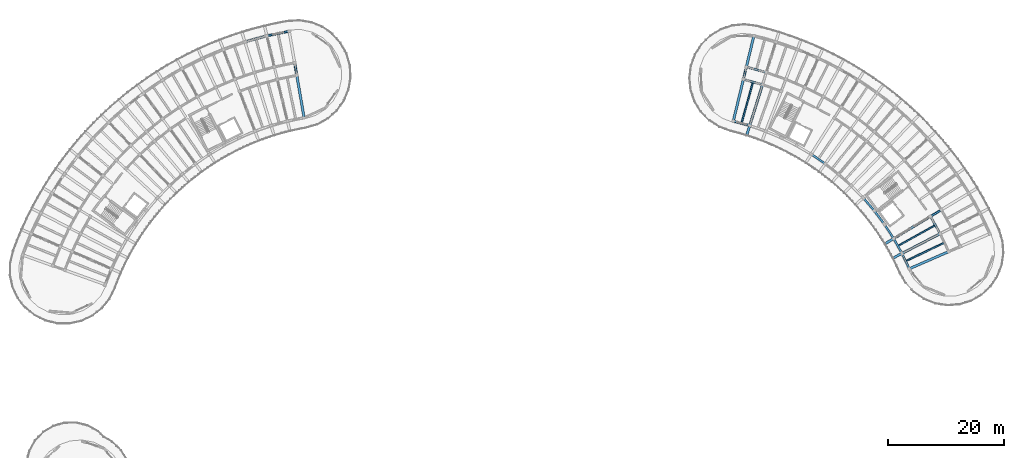
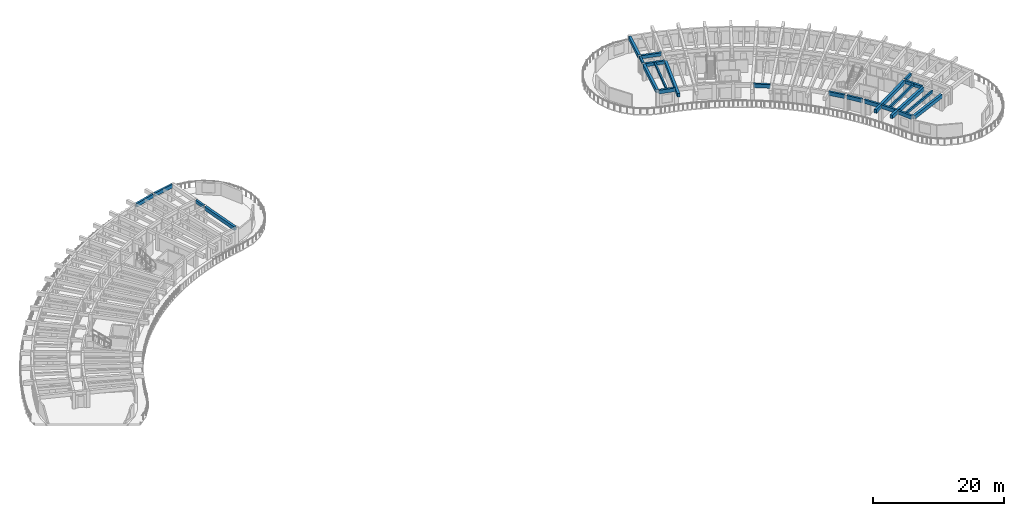
# One storey, part 8 of 41: 25 beams.
"""IFC4 building model written with IfcOpenShell, lengths in metres."""

from ifc_helpers import new_model, si_unit, direction, frame, origin, origin_2d, place, context, subcontext, project, spatial, rectangle, extrude, material, material_profile, profile_set, type_object, element, save


model = new_model("IFC4")

# Units and contexts
model_context = context("Model", 3, precision=1e-05, world=origin(), true_north=direction((0.0, 1.0)))
body_context = subcontext(model_context, "Body", "Model", "MODEL_VIEW")
ifc_project = project(units=[si_unit("LENGTHUNIT", "METRE"), si_unit("AREAUNIT", "SQUARE_METRE"), si_unit("VOLUMEUNIT", "CUBIC_METRE"), si_unit("PLANEANGLEUNIT", "RADIAN"), si_unit("MASSUNIT", "GRAM", prefix="KILO")], contexts=[model_context])

# Site, building, storey
site_placement = place(None, origin())
site = spatial("IfcSite", under=ifc_project, at=site_placement, CompositionType="ELEMENT")
building_placement = place(site_placement, origin())
building = spatial("IfcBuilding", under=site, at=building_placement, Name="Tanwirah Colonnade Gardens", CompositionType="ELEMENT")
storey_placement = place(building_placement, frame((0.0, 0.0, 35.719970703125)))
storey = spatial("IfcBuildingStorey", under=building, at=storey_placement, Name="L10", CompositionType="ELEMENT", Elevation=35.719970703125)

# Beams
ifc_material_1 = material(Name="Precast concrete C40/50", Category="concrete")
ifc_material_profile_1 = material_profile(ifc_material_1, rectangle(XDim=0.320068359375, YDim=0.52001953125, at=origin_2d()), Name="PC-BM 320x520")
ifc_profile_set_1 = profile_set([ifc_material_profile_1], Name="Precast concrete C40/50")
beam_type_1 = type_object("IfcBeamType", Name="BM-PC320", PredefinedType="BEAM", material=ifc_profile_set_1)
beam_1_placement = place(storey_placement, frame((165.520751953125, 87.068359375, 2.85498046875), z_axis=(0.856174920318, 0.516686080534, 0.0), x_axis=(-0.516686080534, 0.856174920318, 0.0)))
element("IfcBeam", 1, at=beam_1_placement, inside=storey, type_object=beam_type_1, Name="Block B L10 Corridor Tie Beam 4", PredefinedType="BEAM", context=body_context, shape_type="SweptSolid", body=[
    extrude(rectangle(XDim=0.320068359375, YDim=0.52001953125, at=origin_2d()), origin(), (0.0, 0.0, 1.0), 1.89990234375),
])
beam_2_placement = place(storey_placement, frame((133.188232421875, 110.75146484375, 2.85498046875), z_axis=(0.234364199778, 0.972148868159, 0.0), x_axis=(-0.972148868159, 0.234364199778, 0.0)))
element("IfcBeam", 2, at=beam_2_placement, inside=storey, type_object=beam_type_1, Name="Block B L10 Corridor Tie Beam 16", PredefinedType="BEAM", context=body_context, shape_type="SweptSolid", body=[
    extrude(rectangle(XDim=0.320068359375, YDim=0.52001953125, at=origin_2d()), origin(), (0.0, 0.0, 1.0), 1.900146484375),
])
ifc_material_profile_2 = material_profile(ifc_material_1, rectangle(XDim=0.35009765625, YDim=0.550048828125, at=origin_2d()), Name="PC-BM 350x550")
ifc_profile_set_2 = profile_set([ifc_material_profile_2], Name="Precast concrete C40/50")
beam_type_2 = type_object("IfcBeamType", Name="BM-PC350A", PredefinedType="BEAM", material=ifc_profile_set_2)
beam_3_placement = place(storey_placement, frame((56.1689453125, 111.444580078125, 2.840087890625), z_axis=(-0.169855285462, 0.985469016256, 0.0), x_axis=(-0.985469016256, -0.169855285462, 0.0)))
element("IfcBeam", 3, at=beam_3_placement, inside=storey, type_object=beam_type_2, Name="Block A L10 Corridor Tie Beam 1", PredefinedType="BEAM", context=body_context, shape_type="SweptSolid", body=[
    extrude(rectangle(XDim=0.35009765625, YDim=0.550048828125, at=origin_2d()), origin(), (0.0, 0.0, 1.0), 1.900146484375),
])
ifc_material_profile_3 = material_profile(ifc_material_1, rectangle(XDim=0.35009765625, YDim=0.60009765625, at=origin_2d()), Name="PC-BM 350x600")
ifc_profile_set_3 = profile_set([ifc_material_profile_3], Name="Precast concrete C40/50")
beam_type_3 = type_object("IfcBeamType", Name="BM-PC350B", PredefinedType="BEAM", material=ifc_profile_set_3)
for number, where, z_axis, x_axis, name in (
    (4, (166.98779296875, 84.138671875, 2.81494140625), (-0.488200372352, 0.872731571811, 0.0), (-0.872731571811, -0.488200372352, 0.0), "Block B L10 Circumferential Beam 3-R1"),
    (5, (136.302978515625, 109.7353515625, 2.81494140625), (-0.963889412906, 0.266302834548, 0.0), (-0.266302834548, -0.963889412906, 0.0), "Block B L10 Circumferential Beam 15-R1"),
):
    element("IfcBeam", number, at=place(storey_placement, frame(where, z_axis=z_axis, x_axis=x_axis)), inside=storey, type_object=beam_type_3, Name=name, PredefinedType="BEAM", context=body_context, shape_type="SweptSolid", body=[
        extrude(rectangle(XDim=0.35009765625, YDim=0.60009765625, at=origin_2d()), origin(), (0.0, 0.0, 1.0), 3.117919921875),
    ])
beam_4_placement = place(storey_placement, frame((136.95849609375, 111.83544921875, 2.81494140625), z_axis=(-0.9638953302, 0.266281415833, 0.0), x_axis=(-0.266281415833, -0.9638953302, 0.0)))
element("IfcBeam", 6, at=beam_4_placement, inside=storey, type_object=beam_type_3, Name="Block B L10 Circumferential Beam 15-R2", PredefinedType="BEAM", context=body_context, shape_type="SweptSolid", body=[
    extrude(rectangle(XDim=0.35009765625, YDim=0.60009765625, at=origin_2d()), origin(), (0.0, 0.0, 1.0), 3.26318359375),
])
ifc_material_2 = material(Name="Precast concrete C45/55", Category="concrete")
ifc_material_profile_4 = material_profile(ifc_material_2, rectangle(XDim=0.419921875, YDim=0.679931640625, at=origin_2d()), Name="PC-BM 420x680")
ifc_profile_set_4 = profile_set([ifc_material_profile_4], Name="Precast concrete C45/55")
beam_type_4 = type_object("IfcBeamType", Name="BM-PC420", PredefinedType="BEAM", material=ifc_profile_set_4)
beam_5_placement = place(storey_placement, frame((56.219970703125, 111.14892578125, 2.775146484375), z_axis=(0.16983322007, -0.985472819189, 0.0), x_axis=(0.985472819189, 0.16983322007, 0.0)))
element("IfcBeam", 7, at=beam_5_placement, inside=storey, type_object=beam_type_4, Name="Block A L10 Inner Radial Precast Girder 1", PredefinedType="BEAM", context=body_context, shape_type="SweptSolid", body=[
    extrude(rectangle(XDim=0.419921875, YDim=0.679931640625, at=origin_2d()), origin(), (0.0, 0.0, 1.0), 7.099853515625),
])
beam_6_placement = place(storey_placement, frame((168.39208984375, 80.861328125, 2.775146484375), z_axis=(-0.916678201221, -0.399626169571, 0.0), x_axis=(0.399626169571, -0.916678201221, 0.0)))
element("IfcBeam", 8, at=beam_6_placement, inside=storey, type_object=beam_type_4, Name="Block B L10 Inner Radial Precast Girder 2", PredefinedType="BEAM", context=body_context, shape_type="SweptSolid", body=[
    extrude(rectangle(XDim=0.419921875, YDim=0.679931640625, at=origin_2d()), origin(), (0.0, 0.0, 1.0), 7.10009765625),
])
beam_7_placement = place(storey_placement, frame((166.927734375, 83.93896484375, 2.775146484375), z_axis=(-0.888345427876, -0.459175784175, 0.0), x_axis=(0.459175784175, -0.888345427876, 0.0)))
element("IfcBeam", 9, at=beam_7_placement, inside=storey, type_object=beam_type_4, Name="Block B L10 Inner Radial Precast Girder 3", PredefinedType="BEAM", context=body_context, shape_type="SweptSolid", body=[
    extrude(rectangle(XDim=0.419921875, YDim=0.679931640625, at=origin_2d()), origin(), (0.0, 0.0, 1.0), 8.949951171875),
])
for number, where, z_axis, x_axis, name in (
    (10, (165.263916015625, 86.913330078125, 2.775146484375), (-0.856168728297, -0.516696340887, 0.0), (0.516696340887, -0.856168728297, 0.0), "Block B L10 Inner Radial Precast Girder 4"),
    (11, (136.403076171875, 109.55224609375, 2.775146484375), (-0.29792861283, -0.9545881529, 0.0), (0.9545881529, -0.29792861283, 0.0), "Block B L10 Inner Radial Precast Girder 15"),
):
    element("IfcBeam", number, at=place(storey_placement, frame(where, z_axis=z_axis, x_axis=x_axis)), inside=storey, type_object=beam_type_4, Name=name, PredefinedType="BEAM", context=body_context, shape_type="SweptSolid", body=[
        extrude(rectangle(XDim=0.419921875, YDim=0.679931640625, at=origin_2d()), origin(), (0.0, 0.0, 1.0), 8.9501953125),
    ])
beam_8_placement = place(storey_placement, frame((133.117919921875, 110.459716796875, 2.775146484375), z_axis=(-0.23441195378, -0.972137354454, 0.0), x_axis=(0.972137354454, -0.23441195378, 0.0)))
element("IfcBeam", 12, at=beam_8_placement, inside=storey, type_object=beam_type_4, Name="Block B L10 Inner Radial Precast Girder 16", PredefinedType="BEAM", context=body_context, shape_type="SweptSolid", body=[
    extrude(rectangle(XDim=0.419921875, YDim=0.679931640625, at=origin_2d()), origin(), (0.0, 0.0, 1.0), 7.099853515625),
])
beam_9_placement = place(storey_placement, frame((133.703857421875, 112.89013671875, 2.775146484375), z_axis=(0.234374333708, 0.97214642503, 0.0), x_axis=(-0.97214642503, 0.234374333708, 0.0)))
element("IfcBeam", 13, at=beam_9_placement, inside=storey, type_object=beam_type_4, Name="Block B L10 Outer Radial Precast Girder 16", PredefinedType="BEAM", context=body_context, shape_type="SweptSolid", body=[
    extrude(rectangle(XDim=0.419921875, YDim=0.679931640625, at=origin_2d()), origin(), (0.0, 0.0, 1.0), 5.199951171875),
])
ifc_material_profile_5 = material_profile(ifc_material_1, rectangle(XDim=0.260009765625, YDim=0.4599609375, at=origin_2d()), Name="PC-JST 260x460")
ifc_profile_set_5 = profile_set([ifc_material_profile_5], Name="Precast concrete C40/50")
beam_type_5 = type_object("IfcBeamType", Name="JST-PC260", PredefinedType="JOIST", material=ifc_profile_set_5)
for number, where, z_axis, x_axis, name in (
    (14, (161.246826171875, 79.348876953125, 2.885009765625), (0.903005429363, 0.429629136048, 0.0), (-0.429629136048, 0.903005429363, 0.0), "Block B L10 Inner Precast Floor Joist 2"),
    (15, (159.897705078125, 81.958984375, 2.885009765625), (0.872726875563, 0.488208767506, 0.0), (-0.488208767506, 0.872726875563, 0.0), "Block B L10 Inner Precast Floor Joist 3"),
):
    element("IfcBeam", number, at=place(storey_placement, frame(where, z_axis=z_axis, x_axis=x_axis)), inside=storey, type_object=beam_type_5, Name=name, PredefinedType="JOIST", context=body_context, shape_type="SweptSolid", body=[
        extrude(rectangle(XDim=0.260009765625, YDim=0.4599609375, at=origin_2d()), origin(), (0.0, 0.0, 1.0), 7.16015625),
    ])
beam_10_placement = place(storey_placement, frame((132.869140625, 103.16064453125, 2.885009765625), z_axis=(0.266307034535, 0.963888252526, 0.0), x_axis=(-0.963888252526, 0.266307034535, 0.0)))
element("IfcBeam", 16, at=beam_10_placement, inside=storey, type_object=beam_type_5, Name="Block B L10 Inner Precast Floor Joist 15", PredefinedType="JOIST", context=body_context, shape_type="SweptSolid", body=[
    extrude(rectangle(XDim=0.260009765625, YDim=0.4599609375, at=origin_2d()), origin(), (0.0, 0.0, 1.0), 7.159912109375),
])
ifc_material_profile_6 = material_profile(ifc_material_1, rectangle(XDim=0.3349609375, YDim=0.695068359375, at=origin_2d()), Name="PC-SP 335x695")
ifc_profile_set_6 = profile_set([ifc_material_profile_6], Name="Precast concrete C40/50")
beam_type_6 = type_object("IfcBeamType", Name="SP-PC300", PredefinedType="SPANDREL", material=ifc_profile_set_6)
beam_11_placement = place(storey_placement, frame((161.681640625, 78.099365234375, 2.767578125), z_axis=(-0.42964173036, 0.902999437172, 0.0), x_axis=(-0.902999437172, -0.42964173036, 0.0)))
element("IfcBeam", 17, at=beam_11_placement, inside=storey, type_object=beam_type_6, Name="Block B L10 Circumferential Beam 2-R0", PredefinedType="SPANDREL", context=body_context, shape_type="SweptSolid", body=[
    extrude(rectangle(XDim=0.3349609375, YDim=0.695068359375, at=origin_2d()), origin(), (0.0, 0.0, 1.0), 2.63037109375),
])
beam_12_placement = place(storey_placement, frame((160.413818359375, 80.740966796875, 2.767578125), z_axis=(-0.488170837957, 0.872748092503, 0.0), x_axis=(-0.872748092503, -0.488170837957, 0.0)))
element("IfcBeam", 18, at=beam_12_placement, inside=storey, type_object=beam_type_6, Name="Block B L10 Circumferential Beam 3-R0", PredefinedType="SPANDREL", context=body_context, shape_type="SweptSolid", body=[
    extrude(rectangle(XDim=0.3349609375, YDim=0.695068359375, at=origin_2d()), origin(), (0.0, 0.0, 1.0), 2.630126953125),
])
for number, where, z_axis, x_axis, name in (
    (19, (158.974853515625, 83.29296875, 2.767578125), (-0.544570677829, 0.838714955661, 0.0), (-0.838714955661, -0.544570677829, 0.0), "Block B L10 Circumferential Beam 4-R0"),
    (20, (157.370849609375, 85.744873046875, 2.767578125), (-0.598662613551, 0.80100129534, 0.0), (-0.80100129534, -0.598662613551, 0.0), "Block B L10 Circumferential Beam 5-R0"),
):
    element("IfcBeam", number, at=place(storey_placement, frame(where, z_axis=z_axis, x_axis=x_axis)), inside=storey, type_object=beam_type_6, Name=name, PredefinedType="SPANDREL", context=body_context, shape_type="SweptSolid", body=[
        extrude(rectangle(XDim=0.3349609375, YDim=0.695068359375, at=origin_2d()), origin(), (0.0, 0.0, 1.0), 2.63037109375),
    ])
beam_13_placement = place(storey_placement, frame((155.60888671875, 88.0859375, 2.767578125), z_axis=(-0.650217875778, 0.759747796323, 0.0), x_axis=(-0.759747796323, -0.650217875778, 0.0)))
element("IfcBeam", 21, at=beam_13_placement, inside=storey, type_object=beam_type_6, Name="Block B L10 Circumferential Beam 6-R0", PredefinedType="SPANDREL", context=body_context, shape_type="SweptSolid", body=[
    extrude(rectangle(XDim=0.3349609375, YDim=0.695068359375, at=origin_2d()), origin(), (0.0, 0.0, 1.0), 2.630126953125),
])
beam_14_placement = place(storey_placement, frame((147.142578125, 96.143798828125, 2.767578125), z_axis=(-0.825800981874, 0.563961646158, 0.0), x_axis=(-0.563961646158, -0.825800981874, 0.0)))
element("IfcBeam", 22, at=beam_14_placement, inside=storey, type_object=beam_type_6, Name="Block B L10 Circumferential Beam 10-R0", PredefinedType="SPANDREL", context=body_context, shape_type="SweptSolid", body=[
    extrude(rectangle(XDim=0.3349609375, YDim=0.695068359375, at=origin_2d()), origin(), (0.0, 0.0, 1.0), 2.63037109375),
])
beam_15_placement = place(storey_placement, frame((134.098388671875, 102.67138671875, 2.767578125), z_axis=(-0.96388669146, 0.266312684688, 0.0), x_axis=(-0.266312684688, -0.96388669146, 0.0)))
element("IfcBeam", 23, at=beam_15_placement, inside=storey, type_object=beam_type_6, Name="Block B L10 Circumferential Beam 15-R0", PredefinedType="SPANDREL", context=body_context, shape_type="SweptSolid", body=[
    extrude(rectangle(XDim=0.3349609375, YDim=0.695068359375, at=origin_2d()), origin(), (0.0, 0.0, 1.0), 2.630126953125),
])
ifc_material_profile_7 = material_profile(ifc_material_2, rectangle(XDim=0.320068359375, YDim=0.679931640625, at=origin_2d()), Name="PC-SP 320x680")
ifc_profile_set_7 = profile_set([ifc_material_profile_7], Name="Precast concrete C45/55")
beam_type_7 = type_object("IfcBeamType", Name="SP-PC320", PredefinedType="SPANDREL", material=ifc_profile_set_7)
for number, where, z_axis, x_axis, name in (
    (24, (54.739990234375, 118.854736328125, 2.775146484375), (-0.979328544205, -0.202276055197, 0.0), (0.202276055197, -0.979328544205, 0.0), "Block A L10 Circumferential Beam 1-R3"),
    (25, (50.897705078125, 118.05126953125, 2.775146484375), (-0.963888380927, -0.266306569792, 0.0), (0.266306569792, -0.963888380927, 0.0), "Block A L10 Circumferential Beam 2-R3"),
):
    element("IfcBeam", number, at=place(storey_placement, frame(where, z_axis=z_axis, x_axis=x_axis)), inside=storey, type_object=beam_type_7, Name=name, PredefinedType="SPANDREL", context=body_context, shape_type="SweptSolid", body=[
        extrude(rectangle(XDim=0.320068359375, YDim=0.679931640625, at=origin_2d()), origin(), (0.0, 0.0, 1.0), 3.625732421875),
    ])

save(model, "model.ifc")
